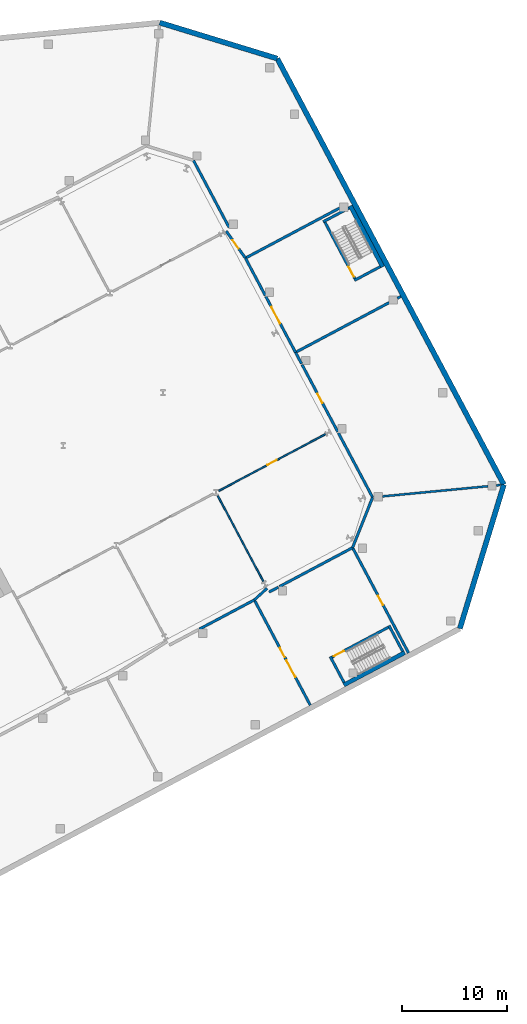
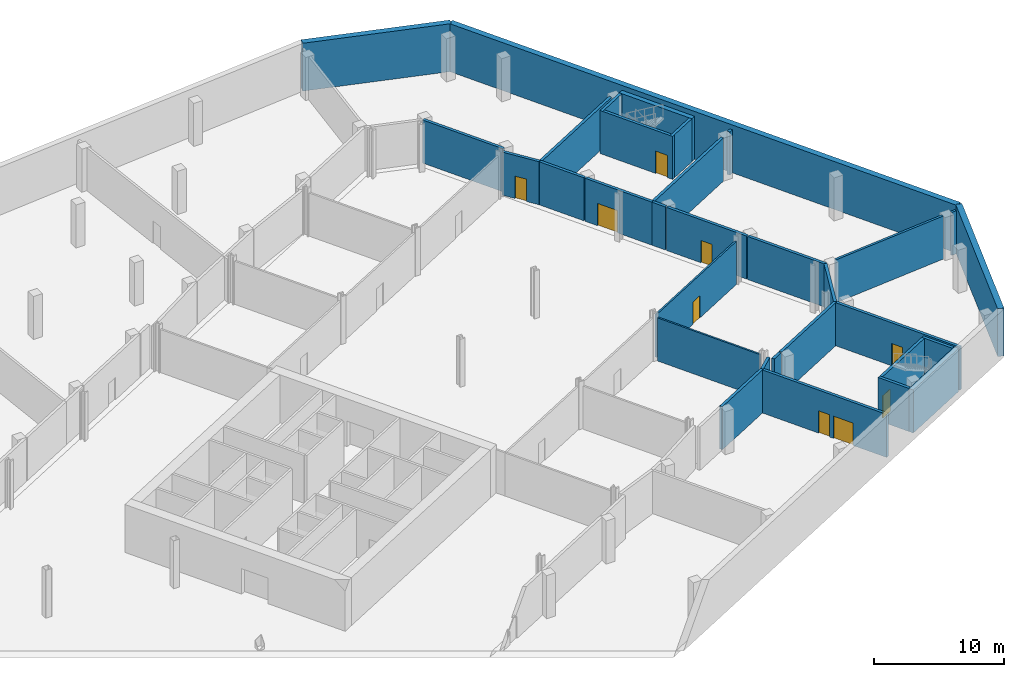
# One storey, part 19 of 27: 32 walls, 9 doors, 9 openings.
"""IFC4 building model written with IfcOpenShell, lengths in metres."""

from ifc_helpers import new_model, si_unit, direction, frame, frame_2d, origin, place, context, subcontext, project, spatial, rectangle, extrude, material, layer, layer_set, type_object, element, fill, save


model = new_model("IFC4")

# Units and contexts
model_context = context("Model", 3, precision=1e-05, world=origin(), true_north=direction((0.0, 1.0)))
body_context = subcontext(model_context, "Body", "Model", "MODEL_VIEW")
ifc_project = project(units=[si_unit("LENGTHUNIT", "METRE"), si_unit("AREAUNIT", "SQUARE_METRE"), si_unit("VOLUMEUNIT", "CUBIC_METRE"), si_unit("PLANEANGLEUNIT", "RADIAN"), si_unit("MASSUNIT", "GRAM", prefix="KILO")], contexts=[model_context])

# Site, building, storey
site_placement = place(None, origin())
site = spatial("IfcSite", under=ifc_project, at=site_placement, CompositionType="ELEMENT")
building_placement = place(site_placement, origin())
building = spatial("IfcBuilding", under=site, at=building_placement, Name="Cormorant Relay Tower", CompositionType="ELEMENT")
storey_placement = place(building_placement, frame((0.0, 0.0, -4.5)))
storey = spatial("IfcBuildingStorey", under=building, at=storey_placement, Name="B1", CompositionType="ELEMENT", Elevation=-4.5)

# Wall, openings, doors
ifc_material_1 = material(Name="Concrete masonry 20 MPa", Category="masonry")
ifc_layer_1 = layer(ifc_material_1, 0.25)
ifc_layer_set_1 = layer_set([ifc_layer_1], Name="Fire separation wall 250")
wall_type_1 = type_object("IfcWallType", Name="Fire separation wall 250", PredefinedType="SOLIDWALL", material=ifc_layer_set_1)
wall_1_placement = place(storey_placement, frame((66.711181640625, -1.90380859375, 0.0), z_axis=(0.0, 0.0, 1.0), x_axis=(-0.469474097874, 0.882946244924, 0.0)))
wall_1 = element("IfcWall", 1, at=wall_1_placement, inside=storey, type_object=wall_type_1, Name="Partition", PredefinedType="SOLIDWALL", context=body_context, shape_type="SweptSolid", body=[
    extrude(rectangle(XDim=11.400146484375, YDim=0.25, at=frame_2d((5.7001953125, 0.0))), origin(), (0.0, 0.0, 1.0), 4.050048828125),
])
opening_1_placement = place(wall_1_placement, frame((5.199951171875, 0.0, 0.0)))
opening_1 = element("IfcOpeningElement", 2, at=opening_1_placement, cuts=wall_1, Name="Opening PD1-029", PredefinedType="OPENING", context=body_context, shape_type="SweptSolid", body=[
    extrude(rectangle(XDim=1.0, YDim=2.10009765625, at=frame_2d((0.5, 1.050048828125))), frame((0.0, 0.135009765625, 0.0), z_axis=(0.0, -1.0, 0.0), x_axis=(1.0, 0.0, 0.0)), (0.0, 0.0, 1.0), 0.27001953125),
])
opening_2_placement = place(wall_1_placement, frame((3.050048828125, 0.0, 0.0)))
opening_2 = element("IfcOpeningElement", 3, at=opening_2_placement, cuts=wall_1, Name="Opening PD3-005", PredefinedType="OPENING", context=body_context, shape_type="SweptSolid", body=[
    extrude(rectangle(XDim=1.800048828125, YDim=2.10009765625, at=frame_2d((0.89990234375, 1.050048828125))), frame((0.0, 0.135009765625, 0.0), z_axis=(0.0, -1.0, 0.0), x_axis=(1.0, 0.0, 0.0)), (0.0, 0.0, 1.0), 0.27001953125),
])
ifc_material_2 = material(Name="Steel door leaf", Category="steel")
door_type_1 = type_object("IfcDoorType", Name="Door double 1800", OperationType="DOUBLE_DOOR_SINGLE_SWING", PredefinedType="DOOR", material=ifc_material_2)
door_1_placement = place(opening_2_placement, frame((1.800048828125, 0.0, 0.0), z_axis=(0.0, 0.0, 1.0), x_axis=(-1.0, 0.0, 0.0)))
door_1 = element("IfcDoor", 4, at=door_1_placement, inside=storey, type_object=door_type_1, Name="Door", OperationType="DOUBLE_DOOR_SINGLE_SWING", OverallHeight=2.10009765625, OverallWidth=1.800048828125, PredefinedType="DOOR", context=body_context, shape_type="SweptSolid", body=[
    extrude(rectangle(XDim=1.800048828125, YDim=2.10009765625, at=frame_2d((0.89990234375, 1.050048828125))), frame((0.0, 0.02490234375, 0.0), z_axis=(0.0, -1.0, 0.0), x_axis=(1.0, 0.0, 0.0)), (0.0, 0.0, 1.0), 0.050048828125),
])
fill(opening_2, door_1)
ifc_material_3 = material(Name="Steel door leaf", Category="steel")
door_type_2 = type_object("IfcDoorType", Name="Door single 1000", OperationType="SINGLE_SWING_LEFT", PredefinedType="DOOR", material=ifc_material_3)
door_2_placement = place(opening_1_placement, frame((1.0, 0.0, 0.0), z_axis=(0.0, 0.0, 1.0), x_axis=(-1.0, 0.0, 0.0)))
door_2 = element("IfcDoor", 5, at=door_2_placement, inside=storey, type_object=door_type_2, Name="Door", OperationType="SINGLE_SWING_LEFT", OverallHeight=2.10009765625, OverallWidth=1.0, PredefinedType="DOOR", context=body_context, shape_type="SweptSolid", body=[
    extrude(rectangle(XDim=1.0, YDim=2.10009765625, at=frame_2d((0.5, 1.050048828125))), frame((0.0, 0.02490234375, 0.0), z_axis=(0.0, -1.0, 0.0), x_axis=(1.0, 0.0, 0.0)), (0.0, 0.0, 1.0), 0.050048828125),
])
fill(opening_1, door_2)

# Wall
wall_2_placement = place(storey_placement, frame((61.36279296875, 8.16357421875, 0.0), z_axis=(0.0, 0.0, 1.0), x_axis=(-0.882945796858, -0.469474940556, 0.0)))
element("IfcWall", 6, at=wall_2_placement, inside=storey, type_object=wall_type_1, Name="Partition", PredefinedType="SOLIDWALL", context=body_context, shape_type="SweptSolid", body=[
    extrude(rectangle(XDim=5.954833984375, YDim=0.25, at=frame_2d((2.9775390625, 0.0))), origin(), (0.0, 0.0, 1.0), 4.050048828125),
])

# Wall, opening, door
wall_3_placement = place(storey_placement, frame((76.106689453125, 3.091796875, 0.0), z_axis=(0.0, 0.0, 1.0), x_axis=(-0.469474097874, 0.882946244924, 0.0)))
wall_3 = element("IfcWall", 7, at=wall_3_placement, inside=storey, type_object=wall_type_1, Name="Partition", PredefinedType="SOLIDWALL", context=body_context, shape_type="SweptSolid", body=[
    extrude(rectangle(XDim=11.400146484375, YDim=0.25, at=frame_2d((5.7001953125, 0.0))), origin(), (0.0, 0.0, 1.0), 4.050048828125),
])
opening_3_placement = place(wall_3_placement, frame((5.199951171875, 0.0, 0.0)))
opening_3 = element("IfcOpeningElement", 8, at=opening_3_placement, cuts=wall_3, Name="Opening PD1-030", PredefinedType="OPENING", context=body_context, shape_type="SweptSolid", body=[
    extrude(rectangle(XDim=1.0, YDim=2.10009765625, at=frame_2d((0.5, 1.050048828125))), frame((0.0, 0.135009765625, 0.0), z_axis=(0.0, -1.0, 0.0), x_axis=(1.0, 0.0, 0.0)), (0.0, 0.0, 1.0), 0.27001953125),
])
door_3_placement = place(opening_3_placement, frame((1.0, 0.0, 0.0), z_axis=(0.0, 0.0, 1.0), x_axis=(-1.0, 0.0, 0.0)))
door_3 = element("IfcDoor", 9, at=door_3_placement, inside=storey, type_object=door_type_2, Name="Door", OperationType="SINGLE_SWING_LEFT", OverallHeight=2.10009765625, OverallWidth=1.0, PredefinedType="DOOR", context=body_context, shape_type="SweptSolid", body=[
    extrude(rectangle(XDim=1.0, YDim=2.10009765625, at=frame_2d((0.5, 1.050048828125))), frame((0.0, 0.02490234375, 0.0), z_axis=(0.0, -1.0, 0.0), x_axis=(1.0, 0.0, 0.0)), (0.0, 0.0, 1.0), 0.050048828125),
])
fill(opening_3, door_3)

# Walls
wall_4_placement = place(storey_placement, frame((62.5732421875, 9.26806640625, 0.0), z_axis=(0.0, 0.0, 1.0), x_axis=(-0.739544046234, -0.673108166404, 0.0)))
element("IfcWall", 10, at=wall_4_placement, inside=storey, type_object=wall_type_1, Name="Partition", PredefinedType="SOLIDWALL", context=body_context, shape_type="SweptSolid", body=[
    extrude(rectangle(XDim=1.646240234375, YDim=0.25, at=frame_2d((0.8232421875, 0.0))), origin(), (0.0, 0.0, 1.0), 4.050048828125),
])
wall_5_placement = place(storey_placement, frame((70.75830078125, 13.1591796875, 0.0), z_axis=(0.0, 0.0, 1.0), x_axis=(-0.882950480299, -0.46946613226, 0.0)))
element("IfcWall", 11, at=wall_5_placement, inside=storey, type_object=wall_type_1, Name="Partition", PredefinedType="SOLIDWALL", context=body_context, shape_type="SweptSolid", body=[
    extrude(rectangle(XDim=7.94140625, YDim=0.25, at=frame_2d((3.970703125, 0.0))), origin(), (0.0, 0.0, 1.0), 4.050048828125),
])
wall_6_placement = place(storey_placement, frame((63.658935546875, 9.384521484375, 0.0), z_axis=(0.0, 0.0, 1.0), x_axis=(-0.882866012348, -0.469624961263, 0.0)))
element("IfcWall", 12, at=wall_6_placement, inside=storey, type_object=wall_type_1, Name="Partition", PredefinedType="SOLIDWALL", context=body_context, shape_type="SweptSolid", body=[
    extrude(rectangle(XDim=1.01318359375, YDim=0.25, at=frame_2d((0.506591796875, 0.0))), origin(), (0.0, 0.0, 1.0), 4.050048828125),
])
wall_7_placement = place(storey_placement, frame((72.669189453125, 17.97119140625, 0.0), z_axis=(0.0, 0.0, 1.0), x_axis=(-0.370009777786, -0.929027859831, 0.0)))
element("IfcWall", 13, at=wall_7_placement, inside=storey, type_object=wall_type_1, Name="Partition", PredefinedType="SOLIDWALL", context=body_context, shape_type="SweptSolid", body=[
    extrude(rectangle(XDim=5.18359375, YDim=0.25, at=frame_2d((2.591796875, 0.0))), origin(), (0.0, 0.0, 1.0), 4.050048828125),
])
wall_8_placement = place(storey_placement, frame((75.36572265625, 37.18212890625, 0.0), z_axis=(0.0, 0.0, 1.0), x_axis=(-0.882960484464, -0.4694473164, 0.0)))
element("IfcWall", 14, at=wall_8_placement, inside=storey, type_object=wall_type_1, Name="Partition", PredefinedType="SOLIDWALL", context=body_context, shape_type="SweptSolid", body=[
    extrude(rectangle(XDim=0.36669921875, YDim=0.25, at=frame_2d((0.183349609375, 0.0))), origin(), (0.0, 0.0, 1.0), 4.050048828125),
])
wall_9_placement = place(storey_placement, frame((74.241943359375, 36.584716796875, 0.0), z_axis=(0.0, 0.0, 1.0), x_axis=(-0.882936179938, -0.469493026738, 0.0)))
element("IfcWall", 15, at=wall_9_placement, inside=storey, type_object=wall_type_1, Name="Partition", PredefinedType="SOLIDWALL", context=body_context, shape_type="SweptSolid", body=[
    extrude(rectangle(XDim=10.127197265625, YDim=0.25, at=frame_2d((5.0634765625, 0.0))), origin(), (0.0, 0.0, 1.0), 4.050048828125),
])
wall_10_placement = place(storey_placement, frame((65.302978515625, 31.824951171875, 0.0), z_axis=(0.0, 0.0, 1.0), x_axis=(0.46947695358, -0.882944726502, 0.0)))
element("IfcWall", 16, at=wall_10_placement, inside=storey, type_object=wall_type_1, Name="Partition", PredefinedType="SOLIDWALL", context=body_context, shape_type="SweptSolid", body=[
    extrude(rectangle(XDim=1.220458984375, YDim=0.25, at=frame_2d((0.6103515625, 0.0))), origin(), (0.0, 0.0, 1.0), 4.050048828125),
])

# Wall, opening, door
wall_11_placement = place(storey_placement, frame((65.9228515625, 30.658935546875, 0.0), z_axis=(0.0, 0.0, 1.0), x_axis=(0.469479540895, -0.882943350777, 0.0)))
wall_11 = element("IfcWall", 17, at=wall_11_placement, inside=storey, type_object=wall_type_1, Name="Partition", PredefinedType="SOLIDWALL", context=body_context, shape_type="SweptSolid", body=[
    extrude(rectangle(XDim=7.282958984375, YDim=0.25, at=frame_2d((3.6416015625, 0.0))), origin(), (0.0, 0.0, 1.0), 4.050048828125),
])
opening_4_placement = place(wall_11_placement, frame((3.14111328125, 0.0, 0.0)))
opening_4 = element("IfcOpeningElement", 18, at=opening_4_placement, cuts=wall_11, Name="Opening PD1-034", PredefinedType="OPENING", context=body_context, shape_type="SweptSolid", body=[
    extrude(rectangle(XDim=1.0, YDim=2.10009765625, at=frame_2d((0.5, 1.050048828125))), frame((0.0, 0.135009765625, 0.0), z_axis=(0.0, -1.0, 0.0), x_axis=(1.0, 0.0, 0.0)), (0.0, 0.0, 1.0), 0.27001953125),
])
door_4_placement = place(opening_4_placement, origin())
door_4 = element("IfcDoor", 19, at=door_4_placement, inside=storey, type_object=door_type_2, Name="Door", OperationType="SINGLE_SWING_LEFT", OverallHeight=2.10009765625, OverallWidth=1.0, PredefinedType="DOOR", context=body_context, shape_type="SweptSolid", body=[
    extrude(rectangle(XDim=1.0, YDim=2.10009765625, at=frame_2d((0.5, 1.050048828125))), frame((0.0, 0.02490234375, 0.0), z_axis=(0.0, -1.0, 0.0), x_axis=(1.0, 0.0, 0.0)), (0.0, 0.0, 1.0), 0.050048828125),
])
fill(opening_4, door_4)

# Walls
wall_12_placement = place(storey_placement, frame((69.388671875, 24.14111328125, 0.0), z_axis=(0.0, 0.0, 1.0), x_axis=(0.469461736628, -0.882952817449, 0.0)))
element("IfcWall", 20, at=wall_12_placement, inside=storey, type_object=wall_type_1, Name="Partition", PredefinedType="SOLIDWALL", context=body_context, shape_type="SweptSolid", body=[
    extrude(rectangle(XDim=6.98779296875, YDim=0.25, at=frame_2d((3.493896484375, 0.0))), origin(), (0.0, 0.0, 1.0), 4.050048828125),
])
wall_13_placement = place(storey_placement, frame((69.51806640625, 45.635498046875, 0.0), z_axis=(0.0, 0.0, 1.0), x_axis=(-0.882956154604, -0.46945546013, 0.0)))
element("IfcWall", 21, at=wall_13_placement, inside=storey, type_object=wall_type_1, Name="Partition", PredefinedType="SOLIDWALL", context=body_context, shape_type="SweptSolid", body=[
    extrude(rectangle(XDim=10.20556640625, YDim=0.25, at=frame_2d((5.102783203125, 0.0))), origin(), (0.0, 0.0, 1.0), 4.050048828125),
])
wall_14_placement = place(storey_placement, frame((60.50537109375, 40.847900390625, 0.0), z_axis=(0.0, 0.0, 1.0), x_axis=(0.469448377302, -0.882959920409, 0.0)))
element("IfcWall", 22, at=wall_14_placement, inside=storey, type_object=wall_type_1, Name="Partition", PredefinedType="SOLIDWALL", context=body_context, shape_type="SweptSolid", body=[
    extrude(rectangle(XDim=4.05908203125, YDim=0.25, at=frame_2d((2.029541015625, 0.0))), origin(), (0.0, 0.0, 1.0), 4.050048828125),
])

# Wall, opening, door
wall_15_placement = place(storey_placement, frame((62.457275390625, 37.177001953125, 0.0), z_axis=(0.0, 0.0, 1.0), x_axis=(0.469458615732, -0.882954476808, 0.0)))
wall_15 = element("IfcWall", 23, at=wall_15_placement, inside=storey, type_object=wall_type_1, Name="Partition", PredefinedType="SOLIDWALL", context=body_context, shape_type="SweptSolid", body=[
    extrude(rectangle(XDim=6.0595703125, YDim=0.25, at=frame_2d((3.02978515625, 0.0))), origin(), (0.0, 0.0, 1.0), 4.050048828125),
])
opening_5_placement = place(wall_15_placement, frame((1.1298828125, 0.0, 0.0)))
opening_5 = element("IfcOpeningElement", 24, at=opening_5_placement, cuts=wall_15, Name="Opening PD3-006", PredefinedType="OPENING", context=body_context, shape_type="SweptSolid", body=[
    extrude(rectangle(XDim=1.800048828125, YDim=2.10009765625, at=frame_2d((0.89990234375, 1.050048828125))), frame((0.0, 0.135009765625, 0.0), z_axis=(0.0, -1.0, 0.0), x_axis=(1.0, 0.0, 0.0)), (0.0, 0.0, 1.0), 0.27001953125),
])
door_5_placement = place(opening_5_placement, origin())
door_5 = element("IfcDoor", 25, at=door_5_placement, inside=storey, type_object=door_type_1, Name="Door", OperationType="DOUBLE_DOOR_SINGLE_SWING", OverallHeight=2.10009765625, OverallWidth=1.800048828125, PredefinedType="DOOR", context=body_context, shape_type="SweptSolid", body=[
    extrude(rectangle(XDim=1.800048828125, YDim=2.10009765625, at=frame_2d((0.89990234375, 1.050048828125))), frame((0.0, 0.02490234375, 0.0), z_axis=(0.0, -1.0, 0.0), x_axis=(1.0, 0.0, 0.0)), (0.0, 0.0, 1.0), 0.050048828125),
])
fill(opening_5, door_5)

wall_16_placement = place(storey_placement, frame((58.672119140625, 43.42822265625, 0.0), z_axis=(0.0, 0.0, 1.0), x_axis=(0.578928632739, -0.815378217881, 0.0)))
wall_16 = element("IfcWall", 26, at=wall_16_placement, inside=storey, type_object=wall_type_1, Name="Partition", PredefinedType="SOLIDWALL", context=body_context, shape_type="SweptSolid", body=[
    extrude(rectangle(XDim=3.14306640625, YDim=0.25, at=frame_2d((1.571533203125, 0.0))), origin(), (0.0, 0.0, 1.0), 4.050048828125),
])
opening_6_placement = place(wall_16_placement, frame((1.072021484375, 0.0, 0.0)))
opening_6 = element("IfcOpeningElement", 27, at=opening_6_placement, cuts=wall_16, Name="Opening PD1-035", PredefinedType="OPENING", context=body_context, shape_type="SweptSolid", body=[
    extrude(rectangle(XDim=1.0, YDim=2.10009765625, at=frame_2d((0.5, 1.050048828125))), frame((0.0, 0.135009765625, 0.0), z_axis=(0.0, -1.0, 0.0), x_axis=(1.0, 0.0, 0.0)), (0.0, 0.0, 1.0), 0.27001953125),
])
door_6_placement = place(opening_6_placement, origin())
door_6 = element("IfcDoor", 28, at=door_6_placement, inside=storey, type_object=door_type_2, Name="Door", OperationType="SINGLE_SWING_RIGHT", OverallHeight=2.10009765625, OverallWidth=1.0, PredefinedType="DOOR", context=body_context, shape_type="SweptSolid", body=[
    extrude(rectangle(XDim=1.0, YDim=2.10009765625, at=frame_2d((0.5, 1.050048828125))), frame((0.0, 0.02490234375, 0.0), z_axis=(0.0, -1.0, 0.0), x_axis=(1.0, 0.0, 0.0)), (0.0, 0.0, 1.0), 0.050048828125),
])
fill(opening_6, door_6)

# Walls
wall_17_placement = place(storey_placement, frame((55.534912109375, 50.196044921875, 0.0), z_axis=(0.0, 0.0, 1.0), x_axis=(0.469471385401, -0.882947687176, 0.0)))
element("IfcWall", 29, at=wall_17_placement, inside=storey, type_object=wall_type_1, Name="Partition", PredefinedType="SOLIDWALL", context=body_context, shape_type="SweptSolid", body=[
    extrude(rectangle(XDim=7.263916015625, YDim=0.25, at=frame_2d((3.6318359375, 0.0))), origin(), (0.0, 0.0, 1.0), 4.050048828125),
])
wall_18_placement = place(storey_placement, frame((69.93701171875, 0.264404296875, 0.0), z_axis=(0.0, 0.0, 1.0), x_axis=(-0.469533439143, 0.882914689835, 0.0)))
element("IfcWall", 30, at=wall_18_placement, inside=storey, type_object=wall_type_1, Name="Stair enclosure wall", PredefinedType="SOLIDWALL", context=body_context, shape_type="SweptSolid", body=[
    extrude(rectangle(XDim=2.800048828125, YDim=0.25, at=frame_2d((1.39990234375, 0.0))), origin(), (0.0, 0.0, 1.0), 4.050048828125),
])
wall_19_placement = place(storey_placement, frame((75.543701171875, 3.245361328125, 0.0), z_axis=(0.0, 0.0, 1.0), x_axis=(-0.469497295046, 0.882933910293, 0.0)))
element("IfcWall", 31, at=wall_19_placement, inside=storey, type_object=wall_type_1, Name="Stair enclosure wall", PredefinedType="SOLIDWALL", context=body_context, shape_type="SweptSolid", body=[
    extrude(rectangle(XDim=2.80029296875, YDim=0.25, at=frame_2d((1.400146484375, 0.0))), origin(), (0.0, 0.0, 1.0), 4.050048828125),
])

# Wall, opening, door
wall_20_placement = place(storey_placement, frame((68.57080078125, 2.5673828125, 0.0), z_axis=(0.0, 0.0, 1.0), x_axis=(0.882937969766, 0.469489660743, 0.0)))
wall_20 = element("IfcWall", 32, at=wall_20_placement, inside=storey, type_object=wall_type_1, Name="Stair enclosure wall", PredefinedType="SOLIDWALL", context=body_context, shape_type="SweptSolid", body=[
    extrude(rectangle(XDim=6.60009765625, YDim=0.25, at=frame_2d((3.300048828125, 0.0))), origin(), (0.0, 0.0, 1.0), 4.050048828125),
])
opening_7_placement = place(wall_20_placement, frame((0.449951171875, 0.0, 0.0)))
opening_7 = element("IfcOpeningElement", 33, at=opening_7_placement, cuts=wall_20, Name="Opening PD10-005", PredefinedType="OPENING", context=body_context, shape_type="SweptSolid", body=[
    extrude(rectangle(XDim=1.10009765625, YDim=2.10009765625, at=frame_2d((0.550048828125, 1.050048828125))), frame((0.0, 0.135009765625, 0.0), z_axis=(0.0, -1.0, 0.0), x_axis=(1.0, 0.0, 0.0)), (0.0, 0.0, 1.0), 0.27001953125),
])
ifc_material_4 = material(Name="Steel fire door leaf", Category="steel")
door_type_3 = type_object("IfcDoorType", Name="Door stair 1100", OperationType="SINGLE_SWING_LEFT", PredefinedType="DOOR", material=ifc_material_4)
door_7_placement = place(opening_7_placement, origin())
door_7 = element("IfcDoor", 34, at=door_7_placement, inside=storey, type_object=door_type_3, Name="Stair door", OperationType="SINGLE_SWING_LEFT", OverallHeight=2.10009765625, OverallWidth=1.10009765625, PredefinedType="DOOR", context=body_context, shape_type="SweptSolid", body=[
    extrude(rectangle(XDim=1.10009765625, YDim=2.10009765625, at=frame_2d((0.550048828125, 1.050048828125))), frame((0.0, 0.02490234375, 0.0), z_axis=(0.0, -1.0, 0.0), x_axis=(1.0, 0.0, 0.0)), (0.0, 0.0, 1.0), 0.050048828125),
])
fill(opening_7, door_7)

# Walls
wall_21_placement = place(storey_placement, frame((73.400390625, 40.026611328125, 0.0), z_axis=(0.0, 0.0, 1.0), x_axis=(-0.882970050864, -0.469429322983, 0.0)))
element("IfcWall", 35, at=wall_21_placement, inside=storey, type_object=wall_type_1, Name="Stair enclosure wall", PredefinedType="SOLIDWALL", context=body_context, shape_type="SweptSolid", body=[
    extrude(rectangle(XDim=2.800048828125, YDim=0.25, at=frame_2d((1.39990234375, 0.0))), origin(), (0.0, 0.0, 1.0), 4.050048828125),
])
wall_22_placement = place(storey_placement, frame((70.419189453125, 45.63330078125, 0.0), z_axis=(0.0, 0.0, 1.0), x_axis=(-0.882950835185, -0.469465464807, 0.0)))
element("IfcWall", 36, at=wall_22_placement, inside=storey, type_object=wall_type_1, Name="Stair enclosure wall", PredefinedType="SOLIDWALL", context=body_context, shape_type="SweptSolid", body=[
    extrude(rectangle(XDim=2.7998046875, YDim=0.25, at=frame_2d((1.39990234375, 0.0))), origin(), (0.0, 0.0, 1.0), 4.050048828125),
])

# Wall, opening, door
wall_23_placement = place(storey_placement, frame((71.09716796875, 38.660400390625, 0.0), z_axis=(0.0, 0.0, 1.0), x_axis=(-0.469489660743, 0.882937969766, 0.0)))
wall_23 = element("IfcWall", 37, at=wall_23_placement, inside=storey, type_object=wall_type_1, Name="Stair enclosure wall", PredefinedType="SOLIDWALL", context=body_context, shape_type="SweptSolid", body=[
    extrude(rectangle(XDim=6.60009765625, YDim=0.25, at=frame_2d((3.300048828125, 0.0))), origin(), (0.0, 0.0, 1.0), 4.050048828125),
])
opening_8_placement = place(wall_23_placement, frame((0.449951171875, 0.0, 0.0)))
opening_8 = element("IfcOpeningElement", 38, at=opening_8_placement, cuts=wall_23, Name="Opening PD10-006", PredefinedType="OPENING", context=body_context, shape_type="SweptSolid", body=[
    extrude(rectangle(XDim=1.10009765625, YDim=2.10009765625, at=frame_2d((0.550048828125, 1.050048828125))), frame((0.0, 0.135009765625, 0.0), z_axis=(0.0, -1.0, 0.0), x_axis=(1.0, 0.0, 0.0)), (0.0, 0.0, 1.0), 0.27001953125),
])
door_8_placement = place(opening_8_placement, origin())
door_8 = element("IfcDoor", 39, at=door_8_placement, inside=storey, type_object=door_type_3, Name="Stair door", OperationType="SINGLE_SWING_RIGHT", OverallHeight=2.10009765625, OverallWidth=1.10009765625, PredefinedType="DOOR", context=body_context, shape_type="SweptSolid", body=[
    extrude(rectangle(XDim=1.10009765625, YDim=2.10009765625, at=frame_2d((0.550048828125, 1.050048828125))), frame((0.0, 0.02490234375, 0.0), z_axis=(0.0, -1.0, 0.0), x_axis=(1.0, 0.0, 0.0)), (0.0, 0.0, 1.0), 0.050048828125),
])
fill(opening_8, door_8)

ifc_material_5 = material(Name="Gypsum board on steel stud", Category="steel")
ifc_layer_2 = layer(ifc_material_5, 0.14990234375)
ifc_layer_set_2 = layer_set([ifc_layer_2], Name="Partition 150")
wall_type_2 = type_object("IfcWallType", Name="Partition 150", PredefinedType="PARTITIONING", material=ifc_layer_set_2)
wall_24_placement = place(storey_placement, frame((57.95654296875, 18.584228515625, 0.0), z_axis=(0.0, 0.0, 1.0), x_axis=(0.882944872937, 0.469476678179, 0.0)))
wall_24 = element("IfcWall", 40, at=wall_24_placement, inside=storey, type_object=wall_type_2, Name="Partition", PredefinedType="PARTITIONING", context=body_context, shape_type="SweptSolid", body=[
    extrude(rectangle(XDim=11.586181640625, YDim=0.14990234375, at=frame_2d((5.79296875, 0.0))), origin(), (0.0, 0.0, 1.0), 4.050048828125),
])
opening_9_placement = place(wall_24_placement, frame((5.272705078125, 0.0, 0.0)))
opening_9 = element("IfcOpeningElement", 41, at=opening_9_placement, cuts=wall_24, Name="Opening PD1-052", PredefinedType="OPENING", context=body_context, shape_type="SweptSolid", body=[
    extrude(rectangle(XDim=1.0, YDim=2.10009765625, at=frame_2d((0.5, 1.050048828125))), frame((0.0, 0.0849609375, 0.0), z_axis=(0.0, -1.0, 0.0), x_axis=(1.0, 0.0, 0.0)), (0.0, 0.0, 1.0), 0.169921875),
])
door_9_placement = place(opening_9_placement, frame((1.0, 0.0, 0.0), z_axis=(0.0, 0.0, 1.0), x_axis=(-1.0, 0.0, 0.0)))
door_9 = element("IfcDoor", 42, at=door_9_placement, inside=storey, type_object=door_type_2, Name="Door", OperationType="SINGLE_SWING_RIGHT", OverallHeight=2.10009765625, OverallWidth=1.0, PredefinedType="DOOR", context=body_context, shape_type="SweptSolid", body=[
    extrude(rectangle(XDim=1.0, YDim=2.10009765625, at=frame_2d((0.5, 1.050048828125))), frame((0.0, 0.02490234375, 0.0), z_axis=(0.0, -1.0, 0.0), x_axis=(1.0, 0.0, 0.0)), (0.0, 0.0, 1.0), 0.050048828125),
])
fill(opening_9, door_9)

# Walls
wall_25_placement = place(storey_placement, frame((62.240234375, 9.894287109375, 0.0), z_axis=(0.0, 0.0, 1.0), x_axis=(-0.469471003187, 0.882947890403, 0.0)))
element("IfcWall", 43, at=wall_25_placement, inside=storey, type_object=wall_type_2, Name="Partition", PredefinedType="PARTITIONING", context=body_context, shape_type="SweptSolid", body=[
    extrude(rectangle(XDim=9.326171875, YDim=0.14990234375, at=frame_2d((4.6630859375, 0.0))), origin(), (0.0, 0.0, 1.0), 4.050048828125),
])
ifc_material_6 = material(Name="Concrete masonry 20 MPa", Category="masonry")
ifc_layer_3 = layer(ifc_material_6, 0.199951171875)
ifc_layer_set_3 = layer_set([ifc_layer_3], Name="Plant room wall 200")
wall_type_3 = type_object("IfcWallType", Name="Plant room wall 200", PredefinedType="PARTITIONING", material=ifc_layer_set_3)
wall_26_placement = place(storey_placement, frame((84.91162109375, 19.14990234375, 0.0), z_axis=(0.0, 0.0, 1.0), x_axis=(-0.995412196651, -0.095679458393, 0.0)))
element("IfcWall", 44, at=wall_26_placement, inside=storey, type_object=wall_type_3, Name="Partition", PredefinedType="PARTITIONING", context=body_context, shape_type="SweptSolid", body=[
    extrude(rectangle(XDim=0.423583984375, YDim=0.199951171875, at=frame_2d((0.2119140625, 0.0))), origin(), (0.0, 0.0, 1.0), 4.050048828125),
])
wall_27_placement = place(storey_placement, frame((83.68994140625, 19.0322265625, 0.0), z_axis=(0.0, 0.0, 1.0), x_axis=(-0.995397009029, -0.095837333105, 0.0)))
element("IfcWall", 45, at=wall_27_placement, inside=storey, type_object=wall_type_3, Name="Partition", PredefinedType="PARTITIONING", context=body_context, shape_type="SweptSolid", body=[
    extrude(rectangle(XDim=10.128662109375, YDim=0.199951171875, at=frame_2d((5.064453125, 0.0))), origin(), (0.0, 0.0, 1.0), 4.050048828125),
])
ifc_material_7 = material(Name="Concrete 40 MPa", Category="concrete")
ifc_layer_4 = layer(ifc_material_7, 0.5)
ifc_layer_set_4 = layer_set([ifc_layer_4], Name="Retaining wall 500")
wall_type_4 = type_object("IfcWallType", Name="Retaining wall 500", PredefinedType="SOLIDWALL", material=ifc_layer_set_4)
wall_28_placement = place(storey_placement, frame((81.013427734375, 5.417724609375, 0.0), z_axis=(0.0, 0.0, 1.0), x_axis=(0.292375850554, 0.956303488445, 0.0)))
element("IfcWall", 46, at=wall_28_placement, inside=storey, type_object=wall_type_4, Name="Retaining wall", PredefinedType="SOLIDWALL", context=body_context, shape_type="SweptSolid", body=[
    extrude(rectangle(XDim=14.390869140625, YDim=0.5, at=frame_2d((7.1953125, 0.0))), origin(), (0.0, 0.0, 1.0), 4.5),
])
wall_29_placement = place(storey_placement, frame((85.220947265625, 19.1796875, 0.0), z_axis=(0.0, 0.0, 1.0), x_axis=(-0.469470569953, 0.882948120757, 0.0)))
element("IfcWall", 47, at=wall_29_placement, inside=storey, type_object=wall_type_4, Name="Retaining wall", PredefinedType="SOLIDWALL", context=body_context, shape_type="SweptSolid", body=[
    extrude(rectangle(XDim=46.1484375, YDim=0.5, at=frame_2d((23.07421875, 0.0))), origin(), (0.0, 0.0, 1.0), 4.5),
])
wall_30_placement = place(storey_placement, frame((63.5556640625, 59.92626953125, 0.0), z_axis=(0.0, 0.0, 1.0), x_axis=(-0.956305605615, 0.292368925623, 0.0)))
element("IfcWall", 48, at=wall_30_placement, inside=storey, type_object=wall_type_4, Name="Retaining wall", PredefinedType="SOLIDWALL", context=body_context, shape_type="SweptSolid", body=[
    extrude(rectangle(XDim=11.754150390625, YDim=0.5, at=frame_2d((5.876953125, 0.0))), origin(), (0.0, 0.0, 1.0), 4.5),
])
ifc_material_8 = material(Name="Concrete 40 MPa", Category="concrete")
ifc_layer_5 = layer(ifc_material_8, 0.39990234375)
ifc_layer_set_5 = layer_set([ifc_layer_5], Name="Stair furring wall 400")
wall_type_5 = type_object("IfcWallType", Name="Stair furring wall 400", PredefinedType="SOLIDWALL", material=ifc_layer_set_5)
wall_31_placement = place(storey_placement, frame((69.92041015625, 0.029052734375, 0.0), z_axis=(0.0, 0.0, 1.0), x_axis=(0.882953303447, 0.469460822575, 0.0)))
element("IfcWall", 49, at=wall_31_placement, inside=storey, type_object=wall_type_5, Name="Stair furring wall", PredefinedType="SOLIDWALL", context=body_context, shape_type="SweptSolid", body=[
    extrude(rectangle(XDim=6.599853515625, YDim=0.39990234375, at=frame_2d((3.2998046875, 0.0))), origin(), (0.0, 0.0, 1.0), 4.050048828125),
])
wall_32_placement = place(storey_placement, frame((73.635498046875, 40.010009765625, 0.0), z_axis=(0.0, 0.0, 1.0), x_axis=(-0.469445489529, 0.882961455761, 0.0)))
element("IfcWall", 50, at=wall_32_placement, inside=storey, type_object=wall_type_5, Name="Stair furring wall", PredefinedType="SOLIDWALL", context=body_context, shape_type="SweptSolid", body=[
    extrude(rectangle(XDim=6.60009765625, YDim=0.39990234375, at=frame_2d((3.300048828125, 0.0))), origin(), (0.0, 0.0, 1.0), 4.050048828125),
])

save(model, "model.ifc")
